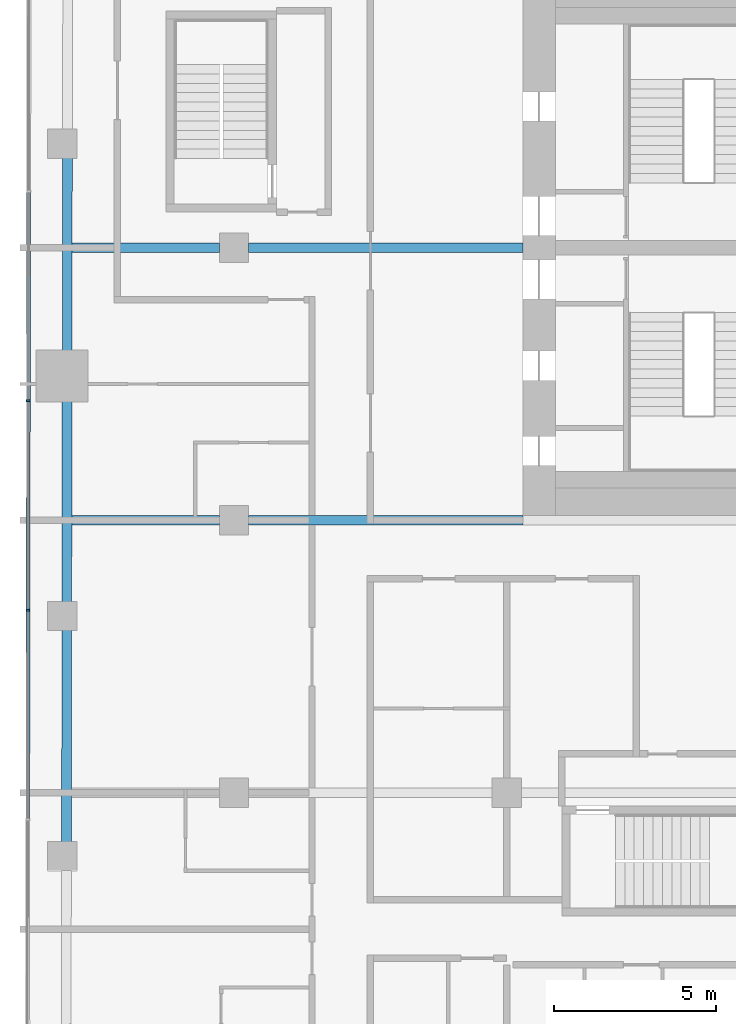
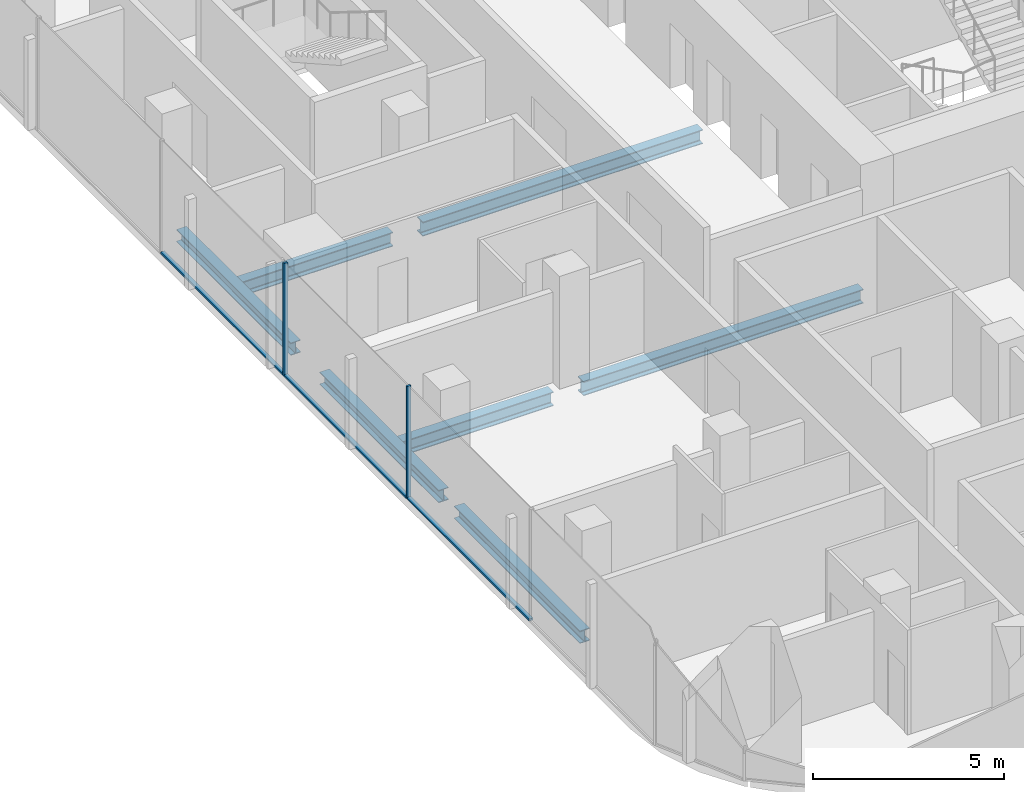
# One storey, part 4 of 23: 7 beams, 5 members, 1 element without a shape of its own.
"""IFC4 building model written with IfcOpenShell, lengths in metres."""

from ifc_helpers import new_model, si_unit, direction, frame, origin, origin_2d, place, context, subcontext, project, spatial, rectangle, i_section, extrude, material, layer, layer_set, material_profile, profile_set, type_object, element, aggregate, save


model = new_model("IFC4")

# Units and contexts
model_context = context("Model", 3, precision=1e-05, world=origin(), true_north=direction((0.0, 1.0)))
body_context = subcontext(model_context, "Body", "Model", "MODEL_VIEW")
ifc_project = project(units=[si_unit("LENGTHUNIT", "METRE"), si_unit("AREAUNIT", "SQUARE_METRE"), si_unit("VOLUMEUNIT", "CUBIC_METRE"), si_unit("PLANEANGLEUNIT", "RADIAN"), si_unit("MASSUNIT", "GRAM", prefix="KILO")], contexts=[model_context])

# Site, building, storey
site_placement = place(None, origin())
site = spatial("IfcSite", under=ifc_project, at=site_placement, CompositionType="ELEMENT")
building_placement = place(site_placement, origin())
building = spatial("IfcBuilding", under=site, at=building_placement, Name="Marenta Gate Hotel Tower", CompositionType="ELEMENT")
storey_placement = place(building_placement, frame((0.0, 0.0, 126.5)))
storey = spatial("IfcBuildingStorey", under=building, at=storey_placement, Name="L28", CompositionType="ELEMENT", Elevation=126.5)

# Beams
ifc_material_1 = material(Name="Steel S355", Category="steel")
ifc_material_profile_1 = material_profile(ifc_material_1, i_section(OverallWidth=0.300048828125, OverallDepth=0.39990234375, WebThickness=0.013427734375, FlangeThickness=0.02392578125, FilletRadius=0.027099609375, at=origin_2d()), Name="HEB 400")
ifc_profile_set_1 = profile_set([ifc_material_profile_1], Name="Steel S355")
beam_type_1 = type_object("IfcBeamType", Name="Edge beam HEB 400", PredefinedType="SPANDREL", material=ifc_profile_set_1)
beam_1_placement = place(storey_placement, frame((-26.167236328125, -9.94189453125, -0.4599609375), z_axis=(0.001372605919, 0.999999057976, 0.0), x_axis=(-0.999999057976, 0.001372605919, 0.0)))
element("IfcBeam", 1, at=beam_1_placement, inside=storey, type_object=beam_type_1, Name="L28-EB-6", PredefinedType="SPANDREL", context=body_context, shape_type="SweptSolid", body=[
    extrude(i_section(OverallWidth=0.300048828125, OverallDepth=0.39990234375, WebThickness=0.013427734375, FlangeThickness=0.02392578125, FilletRadius=0.027099609375, at=origin_2d()), origin(), (0.0, 0.0, 1.0), 6.5810546875),
])
beam_2_placement = place(storey_placement, frame((-26.156982421875, -2.541015625, -0.4599609375), z_axis=(0.001371364591, 0.999999059679, 0.0), x_axis=(-0.999999059679, 0.001371364591, 0.0)))
element("IfcBeam", 2, at=beam_2_placement, inside=storey, type_object=beam_type_1, Name="L28-EB-7", PredefinedType="SPANDREL", context=body_context, shape_type="SweptSolid", body=[
    extrude(i_section(OverallWidth=0.300048828125, OverallDepth=0.39990234375, WebThickness=0.013427734375, FlangeThickness=0.02392578125, FilletRadius=0.027099609375, at=origin_2d()), origin(), (0.0, 0.0, 1.0), 6.23095703125),
])
beam_3_placement = place(storey_placement, frame((-26.146484375, 5.2099609375, -0.4599609375), z_axis=(0.001387357379, 0.999999037619, 0.0), x_axis=(-0.999999037619, 0.001387357379, 0.0)))
element("IfcBeam", 3, at=beam_3_placement, inside=storey, type_object=beam_type_1, Name="L28-EB-8", PredefinedType="SPANDREL", context=body_context, shape_type="SweptSolid", body=[
    extrude(i_section(OverallWidth=0.300048828125, OverallDepth=0.39990234375, WebThickness=0.013427734375, FlangeThickness=0.02392578125, FilletRadius=0.027099609375, at=origin_2d()), origin(), (0.0, 0.0, 1.0), 5.983154296875),
])
ifc_material_2 = material(Name="Steel S355", Category="steel")
ifc_material_profile_2 = material_profile(ifc_material_2, i_section(OverallWidth=0.300048828125, OverallDepth=0.449951171875, WebThickness=0.013916015625, FlangeThickness=0.02587890625, FilletRadius=0.027099609375, at=origin_2d()), Name="HEB 450")
ifc_profile_set_2 = profile_set([ifc_material_profile_2], Name="Steel S355")
beam_type_2 = type_object("IfcBeamType", Name="Girder HEB 450", PredefinedType="BEAM", material=ifc_profile_set_2)
beam_4_placement = place(storey_placement, frame((-26.003662109375, 0.0, -0.485107421875), z_axis=(1.0, 0.0, 0.0), x_axis=(0.0, 1.0, 0.0)))
element("IfcBeam", 4, at=beam_4_placement, inside=storey, type_object=beam_type_2, Name="L28-GD-15", PredefinedType="BEAM", context=body_context, shape_type="SweptSolid", body=[
    extrude(i_section(OverallWidth=0.300048828125, OverallDepth=0.449951171875, WebThickness=0.013916015625, FlangeThickness=0.02587890625, FilletRadius=0.027099609375, at=origin_2d()), origin(), (0.0, 0.0, 1.0), 4.5537109375),
])
beam_5_placement = place(storey_placement, frame((-20.550048828125, 0.0, -0.485107421875), z_axis=(1.0, 0.0, 0.0), x_axis=(0.0, 1.0, 0.0)))
element("IfcBeam", 5, at=beam_5_placement, inside=storey, type_object=beam_type_2, Name="L28-GD-16", PredefinedType="BEAM", context=body_context, shape_type="SweptSolid", body=[
    extrude(i_section(OverallWidth=0.300048828125, OverallDepth=0.449951171875, WebThickness=0.013916015625, FlangeThickness=0.02587890625, FilletRadius=0.027099609375, at=origin_2d()), origin(), (0.0, 0.0, 1.0), 8.449951171875),
])
beam_6_placement = place(storey_placement, frame((-25.991943359375, 8.39990234375, -0.485107421875), z_axis=(1.0, 0.0, 0.0), x_axis=(0.0, 1.0, 0.0)))
element("IfcBeam", 6, at=beam_6_placement, inside=storey, type_object=beam_type_2, Name="L28-GD-20", PredefinedType="BEAM", context=body_context, shape_type="SweptSolid", body=[
    extrude(i_section(OverallWidth=0.300048828125, OverallDepth=0.449951171875, WebThickness=0.013916015625, FlangeThickness=0.02587890625, FilletRadius=0.027099609375, at=origin_2d()), origin(), (0.0, 0.0, 1.0), 4.5419921875),
])
beam_7_placement = place(storey_placement, frame((-20.550048828125, 8.39990234375, -0.485107421875), z_axis=(1.0, 0.0, 0.0), x_axis=(0.0, 1.0, 0.0)))
element("IfcBeam", 7, at=beam_7_placement, inside=storey, type_object=beam_type_2, Name="L28-GD-21", PredefinedType="BEAM", context=body_context, shape_type="SweptSolid", body=[
    extrude(i_section(OverallWidth=0.300048828125, OverallDepth=0.449951171875, WebThickness=0.013916015625, FlangeThickness=0.02587890625, FilletRadius=0.027099609375, at=origin_2d()), origin(), (0.0, 0.0, 1.0), 8.449951171875),
])

# Curtain wall, members
ifc_material_3 = material(Name="Tinted insulated glass in bronze anodised frame", Category="glass")
ifc_layer = layer(ifc_material_3, 0.1201171875)
ifc_layer_set = layer_set([ifc_layer], Name="Tinted insulated glass in bronze anodised frame")
curtain_wall_type = type_object("IfcCurtainWallType", Name="Tower unitised curtain wall CW1", PredefinedType="NOTDEFINED", material=ifc_layer_set)
curtain_wall_placement = place(storey_placement, origin())
curtain_wall = element("IfcCurtainWall", 8, at=curtain_wall_placement, inside=storey, type_object=curtain_wall_type, Name="CW1 run G03", PredefinedType="NOTDEFINED")
ifc_material_4 = material(Name="Bronze anodised aluminium", Category="aluminium")
ifc_material_profile_3 = material_profile(ifc_material_4, rectangle(XDim=0.1201171875, YDim=0.06005859375, at=origin_2d()), Name="Mullion CW1 60x120 bronze anodised aluminium")
ifc_profile_set_3 = profile_set([ifc_material_profile_3], Name="Bronze anodised aluminium")
member_type_1 = type_object("IfcMemberType", Name="Mullion CW1 60x120 bronze anodised aluminium", PredefinedType="MULLION", material=ifc_profile_set_3)
member_1_placement = place(storey_placement, frame((-27.342529296875, 3.686279296875, 0.0), z_axis=(0.0, 0.0, 1.0), x_axis=(0.99999877375, -0.001566045546, 0.0)))
member_1 = element("IfcMember", 9, at=member_1_placement, type_object=member_type_1, Name="CW1 mullion 4", PredefinedType="MULLION", context=body_context, shape_type="SweptSolid", body=[
    extrude(rectangle(XDim=0.1201171875, YDim=0.06005859375, at=origin_2d()), origin(), (0.0, 0.0, 1.0), 3.60009765625),
])
member_2_placement = place(storey_placement, frame((-27.352783203125, -2.773681640625, 0.0), z_axis=(0.0, 0.0, 1.0), x_axis=(0.99999877375, -0.001566045546, 0.0)))
member_2 = element("IfcMember", 10, at=member_2_placement, type_object=member_type_1, Name="CW1 mullion 5", PredefinedType="MULLION", context=body_context, shape_type="SweptSolid", body=[
    extrude(rectangle(XDim=0.1201171875, YDim=0.06005859375, at=origin_2d()), origin(), (0.0, 0.0, 1.0), 3.60009765625),
])
ifc_material_5 = material(Name="Bronze anodised aluminium", Category="aluminium")
ifc_material_profile_4 = material_profile(ifc_material_5, rectangle(XDim=0.1201171875, YDim=0.06005859375, at=origin_2d()), Name="Transom CW1 60x120 bronze anodised aluminium")
ifc_profile_set_4 = profile_set([ifc_material_profile_4], Name="Bronze anodised aluminium")
member_type_2 = type_object("IfcMemberType", Name="Transom CW1 60x120 bronze anodised aluminium", PredefinedType="USERDEFINED", material=ifc_profile_set_4)
member_3_placement = place(storey_placement, frame((-27.33251953125, 10.1162109375, 0.030029296875), z_axis=(-0.001564047831, -0.999998776876, 0.0), x_axis=(0.999998776876, -0.001564047831, 0.0)))
member_3 = element("IfcMember", 11, at=member_3_placement, type_object=member_type_2, Name="CW1 transom 3.1", ObjectType="TRANSOM", PredefinedType="USERDEFINED", context=body_context, shape_type="SweptSolid", body=[
    extrude(rectangle(XDim=0.1201171875, YDim=0.06005859375, at=origin_2d()), origin(), (0.0, 0.0, 1.0), 6.39990234375),
])
member_4_placement = place(storey_placement, frame((-27.3427734375, 3.65625, 0.030029296875), z_axis=(-0.001563988169, -0.99999877697, 0.0), x_axis=(0.99999877697, -0.001563988169, 0.0)))
member_4 = element("IfcMember", 12, at=member_4_placement, type_object=member_type_2, Name="CW1 transom 4.1", ObjectType="TRANSOM", PredefinedType="USERDEFINED", context=body_context, shape_type="SweptSolid", body=[
    extrude(rectangle(XDim=0.1201171875, YDim=0.06005859375, at=origin_2d()), origin(), (0.0, 0.0, 1.0), 6.400146484375),
])
member_5_placement = place(storey_placement, frame((-27.352783203125, -2.8037109375, 0.030029296875), z_axis=(-0.001563988169, -0.99999877697, 0.0), x_axis=(0.99999877697, -0.001563988169, 0.0)))
member_5 = element("IfcMember", 13, at=member_5_placement, type_object=member_type_2, Name="CW1 transom 5.1", ObjectType="TRANSOM", PredefinedType="USERDEFINED", context=body_context, shape_type="SweptSolid", body=[
    extrude(rectangle(XDim=0.1201171875, YDim=0.06005859375, at=origin_2d()), origin(), (0.0, 0.0, 1.0), 6.400146484375),
])
aggregate(curtain_wall, [member_1, member_2, member_3, member_4, member_5])

save(model, "model.ifc")
